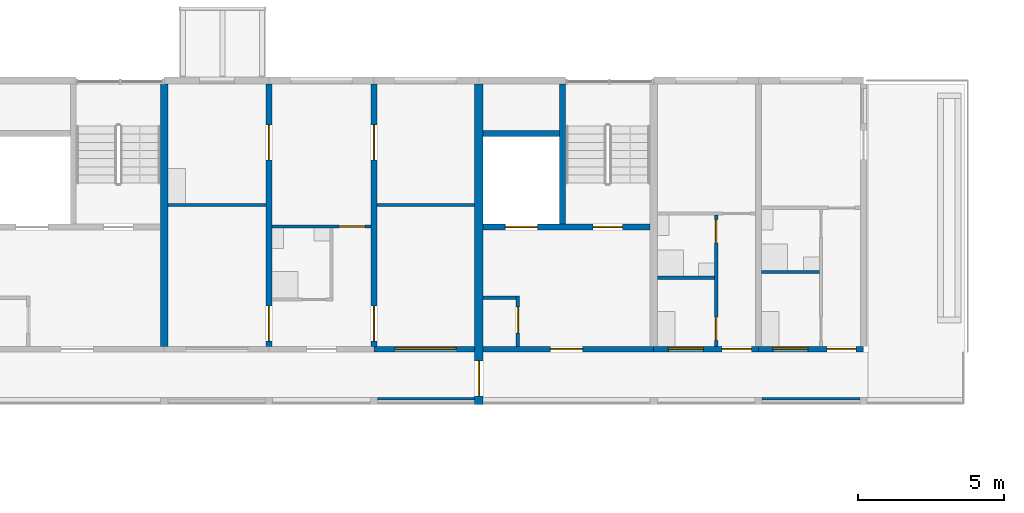
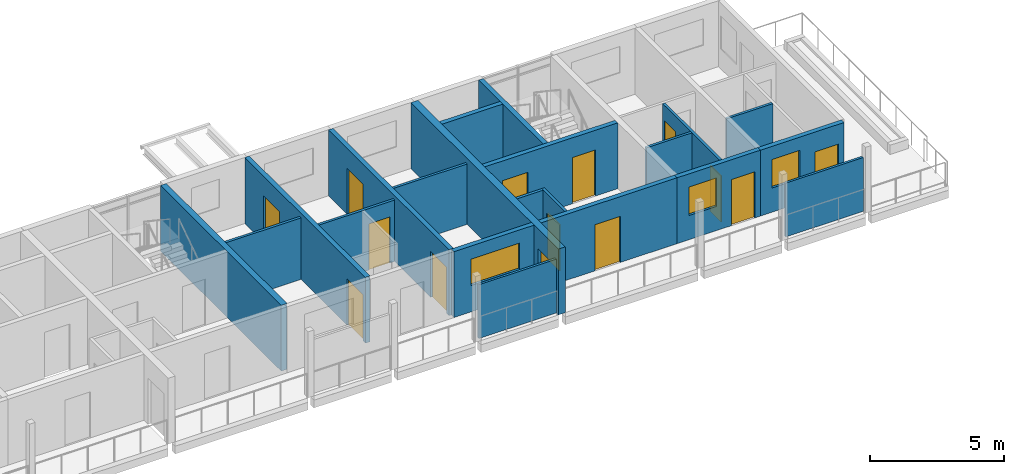
# One storey, part 41 of 93: 21 walls, 14 doors, 3 windows, 17 openings.
"""IFC4 building model written with IfcOpenShell, lengths in metres."""

import ifcopenshell
import ifcopenshell.guid

model = None  # the IFC model being written
_history = None  # IfcOwnerHistory: only IFC2X3 demands one
_inside = {}  # id of a spatial element -> (the spatial element, [elements in it])
_under = {}  # id of a project, library or spatial element -> (it, [spatial elements below it])
_declared = {}  # id of a project -> (the project, [libraries it declares])
_typed = {}  # id of a type object -> (the type object, [elements of that type])
_made_of = {}  # id of a material, layer set ... -> (it, [elements and type objects made of it])


def new_model(schema):
    """Start an empty IFC model of exactly this schema.

    Asked for "IFC4X3", IfcOpenShell would pick the latest addendum, in which some entities
    have other attributes; the version numbers below select the first issue.
    IFC2X3 requires an IfcOwnerHistory on every rooted entity: one is made here for all.
    """
    global model, _history
    if schema == "IFC4X3":
        model = ifcopenshell.file(schema_version=(4, 3, 0, 0))
    else:
        model = ifcopenshell.file(schema=schema)
    _inside.clear()
    _under.clear()
    _declared.clear()
    _typed.clear()
    _made_of.clear()
    _history = None
    if model.schema == "IFC2X3":
        org = make("IfcOrganization", Name="unknown")
        user = make(
            "IfcPersonAndOrganization",
            ThePerson=make("IfcPerson", FamilyName="unknown"),
            TheOrganization=org,
        )
        app = make(
            "IfcApplication",
            ApplicationDeveloper=org,
            Version="unknown",
            ApplicationFullName="unknown",
            ApplicationIdentifier="unknown",
        )
        _history = make(
            "IfcOwnerHistory",
            OwningUser=user,
            OwningApplication=app,
            ChangeAction="ADDED",
            CreationDate=0,
        )
    return model


def make(cls, **values):
    """One entity of the class cls with the attributes given. An attribute that is None is left unset."""
    return model.create_entity(
        cls, **{name: value for name, value in values.items() if value is not None}
    )


def rooted(cls, **values):
    """An entity with a GlobalId (a new one), such as an element, a storey or a relation."""
    return make(cls, GlobalId=ifcopenshell.guid.new(), OwnerHistory=_history, **values)


def si_unit(unit_type, name, prefix=None):
    """IfcSIUnit, for example si_unit("LENGTHUNIT", "METRE", prefix="MILLI")."""
    return make("IfcSIUnit", UnitType=unit_type, Prefix=prefix, Name=name)


def assignment(units):
    """IfcUnitAssignment: the units of a project."""
    return None if units is None else make("IfcUnitAssignment", Units=units)


def point(xyz):
    """IfcCartesianPoint."""
    return None if xyz is None else make("IfcCartesianPoint", Coordinates=xyz)


def direction(xyz):
    """IfcDirection."""
    return None if xyz is None else make("IfcDirection", DirectionRatios=xyz)


def frame(location, z_axis=None, x_axis=None):
    """IfcAxis2Placement3D, a coordinate frame: its origin and axes. An axis left out is left unset."""
    return make(
        "IfcAxis2Placement3D",
        Location=point(location),
        Axis=direction(z_axis),
        RefDirection=direction(x_axis),
    )


def frame_2d(location, x_axis=None):
    """IfcAxis2Placement2D, a coordinate frame in the plane: its origin and x axis."""
    return make(
        "IfcAxis2Placement2D", Location=point(location), RefDirection=direction(x_axis)
    )


def origin():
    """The frame at (0, 0, 0) with its axes left unset."""
    return frame((0.0, 0.0, 0.0))


def place(relative_to, where):
    """IfcLocalPlacement: puts the frame where relative to a parent placement (None: the world)."""
    return make(
        "IfcLocalPlacement", PlacementRelTo=relative_to, RelativePlacement=where
    )


def context(
    kind, dimensions, precision=None, world=None, true_north=None, identifier=None
):
    """IfcGeometricRepresentationContext, for example the 3D "Model" context."""
    return make(
        "IfcGeometricRepresentationContext",
        ContextIdentifier=identifier,
        ContextType=kind,
        CoordinateSpaceDimension=dimensions,
        Precision=precision,
        WorldCoordinateSystem=world,
        TrueNorth=true_north,
    )


def subcontext(parent, identifier, kind, view, scale=None):
    """IfcGeometricRepresentationSubContext, for example "Body" below "Model"."""
    return make(
        "IfcGeometricRepresentationSubContext",
        ContextIdentifier=identifier,
        ContextType=kind,
        ParentContext=parent,
        TargetScale=scale,
        TargetView=view,
    )


def project(units=None, contexts=None):
    """IfcProject with its units and contexts."""
    return rooted(
        "IfcProject",
        Name="project",
        RepresentationContexts=contexts,
        UnitsInContext=assignment(units),
    )


def spatial(cls, under=None, at=None, **own):
    """A site, building, storey or space (cls), placed at a placement, below another one or the project."""
    s = rooted(cls, ObjectPlacement=at, **own)
    if under is not None:
        _under.setdefault(under.id(), (under, []))[1].append(s)
    return s


def profile(cls, at=None, kind="AREA", **sizes):
    """A parametric profile (cls). Its sizes go by their IFC names, for example OverallWidth=200.0."""
    return make(cls, ProfileType=kind, Position=at, **sizes)


def rectangle(**sizes):
    """IfcRectangleProfileDef."""
    return profile("IfcRectangleProfileDef", **sizes)


def extrude(swept, where, along, depth):
    """IfcExtrudedAreaSolid: the profile swept, set in the frame where, extruded along a direction by depth."""
    return make(
        "IfcExtrudedAreaSolid",
        SweptArea=swept,
        Position=where,
        ExtrudedDirection=direction(along),
        Depth=depth,
    )


def shape(context_of_items, identifier, shape_type, items):
    """IfcShapeRepresentation: the items that make up one representation, for example the "Body"."""
    return make(
        "IfcShapeRepresentation",
        ContextOfItems=context_of_items,
        RepresentationIdentifier=identifier,
        RepresentationType=shape_type,
        Items=items,
    )


def material(Name=None, Category=None):
    """IfcMaterial."""
    return make("IfcMaterial", Name=Name, Category=Category)


def layer(
    of_material, thickness, ventilated=None, Name=None, Category=None, Priority=None
):
    """IfcMaterialLayer: one layer of a wall or slab, of a material (None: an air gap)."""
    return make(
        "IfcMaterialLayer",
        Material=of_material,
        LayerThickness=thickness,
        IsVentilated=ventilated,
        Name=Name,
        Category=Category,
        Priority=Priority,
    )


def layer_set(layers, Name=None):
    """IfcMaterialLayerSet."""
    return make("IfcMaterialLayerSet", MaterialLayers=layers, LayerSetName=Name)


def made_of(thing, what):
    """Note that an element or type object is made of a material, layer set ...; save() writes the relation."""
    if what is not None:
        _made_of.setdefault(what.id(), (what, []))[1].append(thing)
    return thing


def type_object(cls, material=None, **own):
    """A type object (cls), such as IfcWallType, which elements share."""
    return made_of(rooted(cls, **own), material)


def element(
    cls,
    number,
    at=None,
    inside=None,
    cuts=None,
    type_object=None,
    material=None,
    context=None,
    identifier="Body",
    shape_type=None,
    held_by="IfcProductDefinitionShape",
    body=None,
    shapes=None,
    **own,
):
    """One element of the class cls, such as IfcWall. Its Tag is "e" and its number.

    at: its placement. inside: the storey or other place that contains it. cuts: it is an
    opening in that element (IfcRelVoidsElement). A single representation is given by context,
    identifier, shape_type and body (its items); several are given by shapes. held_by: the class
    of the entity that holds the representations. save() writes the other relations.
    """
    e = rooted(cls, Tag="e%d" % number, ObjectPlacement=at, **own)
    if body is not None:
        shapes = [shape(context, identifier, shape_type, body)]
    if shapes is not None:
        e.Representation = make(held_by, Representations=shapes)
    if inside is not None:
        _inside.setdefault(inside.id(), (inside, []))[1].append(e)
    if cuts is not None:
        rooted(
            "IfcRelVoidsElement", RelatingBuildingElement=cuts, RelatedOpeningElement=e
        )
    if type_object is not None:
        _typed.setdefault(type_object.id(), (type_object, []))[1].append(e)
    return made_of(e, material)


def fill(opening, filler):
    """IfcRelFillsElement: the door or window that sits in an opening."""
    return rooted(
        "IfcRelFillsElement",
        RelatingOpeningElement=opening,
        RelatedBuildingElement=filler,
    )


def aggregate(whole, parts):
    """IfcRelAggregates: a whole, such as a stair, and the parts it consists of."""
    return rooted("IfcRelAggregates", RelatingObject=whole, RelatedObjects=parts)


def save(model, path):
    """Write the relations noted so far, then the file.

    IfcRelAggregates (storeys below a building ...), IfcRelContainedInSpatialStructure (elements
    in a storey), IfcRelDefinesByType, IfcRelAssociatesMaterial and IfcRelDeclares: one each for
    every whole, place, type object, material and project.
    """
    for whole, parts in _under.values():
        aggregate(whole, parts)
    for where, things in _inside.values():
        rooted(
            "IfcRelContainedInSpatialStructure",
            RelatedElements=things,
            RelatingStructure=where,
        )
    for kind, things in _typed.values():
        rooted("IfcRelDefinesByType", RelatedObjects=things, RelatingType=kind)
    for what, things in _made_of.values():
        rooted("IfcRelAssociatesMaterial", RelatedObjects=things, RelatingMaterial=what)
    for by, libraries in _declared.values():
        rooted("IfcRelDeclares", RelatingContext=by, RelatedDefinitions=libraries)
    model.write(path)


model = new_model("IFC4")

# Units and contexts
model_context = context("Model", 3, precision=1e-05, world=origin(), true_north=direction((0.0, 1.0)))
body_context = subcontext(model_context, "Body", "Model", "MODEL_VIEW")
ifc_project = project(units=[si_unit("LENGTHUNIT", "METRE"), si_unit("AREAUNIT", "SQUARE_METRE"), si_unit("VOLUMEUNIT", "CUBIC_METRE"), si_unit("PLANEANGLEUNIT", "RADIAN"), si_unit("MASSUNIT", "GRAM", prefix="KILO")], contexts=[model_context])

# Site, building, storey
site_placement = place(None, origin())
site = spatial("IfcSite", under=ifc_project, at=site_placement, CompositionType="ELEMENT")
building_placement = place(site_placement, origin())
building = spatial("IfcBuilding", under=site, at=building_placement, Name="Ridgestep Commons", CompositionType="ELEMENT")
storey_placement = place(building_placement, frame((0.0, 0.0, 18.0)))
storey = spatial("IfcBuildingStorey", under=building, at=storey_placement, Name="L06", CompositionType="ELEMENT", Elevation=18.0)

# Wall
ifc_material_1 = material(Name="Concrete C30/37", Category="concrete")
ifc_layer_1 = layer(ifc_material_1, 0.25)
ifc_layer_set_1 = layer_set([ifc_layer_1], Name="Core cross wall 250")
wall_type_1 = type_object("IfcWallType", Name="Core cross wall 250", PredefinedType="SHEAR", material=ifc_layer_set_1)
wall_1_placement = place(storey_placement, frame((85.199951171875, 68.0, 0.0), z_axis=(0.0, 0.0, 1.0), x_axis=(0.0, 1.0, 0.0)))
element("IfcWall", 1, at=wall_1_placement, inside=storey, type_object=wall_type_1, Name="Cross wall B-06-0852", PredefinedType="SHEAR", context=body_context, shape_type="SweptSolid", body=[
    extrude(rectangle(XDim=9.0, YDim=0.25, at=frame_2d((4.5, 0.0))), origin(), (0.0, 0.0, 1.0), 3.0),
])

# Wall, opening, door
ifc_material_2 = material(Name="Concrete C30/37", Category="concrete")
ifc_layer_2 = layer(ifc_material_2, 0.199951171875)
ifc_layer_set_2 = layer_set([ifc_layer_2], Name="Core south wall 200")
wall_type_2 = type_object("IfcWallType", Name="Core south wall 200", PredefinedType="SHEAR", material=ifc_layer_set_2)
wall_2_placement = place(storey_placement, frame((96.14990234375, 67.89990234375, 0.0), z_axis=(0.0, 0.0, 1.0), x_axis=(1.0, 0.0, 0.0)))
wall_2 = element("IfcWall", 2, at=wall_2_placement, inside=storey, type_object=wall_type_2, Name="Core south wall B6C L06", PredefinedType="SHEAR", context=body_context, shape_type="SweptSolid", body=[
    extrude(rectangle(XDim=5.85009765625, YDim=0.199951171875, at=frame_2d((2.925048828125, 0.0))), origin(), (0.0, 0.0, 1.0), 3.0),
])
opening_1_placement = place(wall_2_placement, frame((2.3125, 0.0, 0.0)))
opening_1 = element("IfcOpeningElement", 3, at=opening_1_placement, cuts=wall_2, Name="Opening B6C/06/1", PredefinedType="OPENING", context=body_context, shape_type="SweptSolid", body=[
    extrude(rectangle(XDim=1.10009765625, YDim=2.10009765625, at=frame_2d((0.550048828125, 1.050048828125))), frame((0.0, 0.10986328125, 0.0), z_axis=(0.0, -1.0, 0.0), x_axis=(1.0, 0.0, 0.0)), (0.0, 0.0, 1.0), 0.219970703125),
])
ifc_material_3 = material(Name="Steel fire door", Category="steel")
door_type_1 = type_object("IfcDoorType", Name="Lobby door 1100 x 2100 FD60", OperationType="NOTDEFINED", PredefinedType="DOOR", material=ifc_material_3)
door_1_placement = place(opening_1_placement, origin())
door_1 = element("IfcDoor", 4, at=door_1_placement, inside=storey, type_object=door_type_1, Name="Lobby door B6C/06/1", OperationType="SINGLE_SWING_LEFT", OverallHeight=2.10009765625, OverallWidth=1.10009765625, PredefinedType="DOOR", context=body_context, shape_type="SweptSolid", body=[
    extrude(rectangle(XDim=1.10009765625, YDim=2.10009765625, at=frame_2d((0.550048828125, 1.050048828125))), frame((0.0, 0.02490234375, 0.0), z_axis=(0.0, -1.0, 0.0), x_axis=(1.0, 0.0, 0.0)), (0.0, 0.0, 1.0), 0.050048828125),
])
fill(opening_1, door_1)

ifc_material_4 = material(Name="Concrete C30/37", Category="concrete")
ifc_layer_3 = layer(ifc_material_4, 0.1201171875)
ifc_layer_set_3 = layer_set([ifc_layer_3], Name="Core wall 120")
wall_type_3 = type_object("IfcWallType", Name="Core wall 120", PredefinedType="SHEAR", material=ifc_layer_set_3)
wall_3_placement = place(storey_placement, frame((97.340087890625, 68.0, 0.0), z_axis=(0.0, 0.0, 1.0), x_axis=(0.0, 1.0, 0.0)))
wall_3 = element("IfcWall", 5, at=wall_3_placement, inside=storey, type_object=wall_type_3, Name="Core riser w wall B6C L06", PredefinedType="SHEAR", context=body_context, shape_type="SweptSolid", body=[
    extrude(rectangle(XDim=1.719970703125, YDim=0.1201171875, at=frame_2d((0.85986328125, 0.0))), origin(), (0.0, 0.0, 1.0), 3.0),
])
opening_2_placement = place(wall_3_placement, frame((0.449951171875, 0.0, 0.0)))
opening_2 = element("IfcOpeningElement", 6, at=opening_2_placement, cuts=wall_3, Name="Opening B6C/06/4", PredefinedType="OPENING", context=body_context, shape_type="SweptSolid", body=[
    extrude(rectangle(XDim=0.89990234375, YDim=2.10009765625, at=frame_2d((0.449951171875, 1.050048828125))), frame((0.0, 0.070068359375, 0.0), z_axis=(0.0, -1.0, 0.0), x_axis=(1.0, 0.0, 0.0)), (0.0, 0.0, 1.0), 0.14013671875),
])
ifc_material_5 = material(Name="Steel fire door", Category="steel")
door_type_2 = type_object("IfcDoorType", Name="Riser door 900 x 2100 FD60", OperationType="NOTDEFINED", PredefinedType="DOOR", material=ifc_material_5)
door_2_placement = place(opening_2_placement, origin())
door_2 = element("IfcDoor", 7, at=door_2_placement, inside=storey, type_object=door_type_2, Name="Riser door B6C/06/4", OperationType="SINGLE_SWING_RIGHT", OverallHeight=2.10009765625, OverallWidth=0.89990234375, PredefinedType="DOOR", context=body_context, shape_type="SweptSolid", body=[
    extrude(rectangle(XDim=0.89990234375, YDim=2.10009765625, at=frame_2d((0.449951171875, 1.050048828125))), frame((0.0, 0.02490234375, 0.0), z_axis=(0.0, -1.0, 0.0), x_axis=(1.0, 0.0, 0.0)), (0.0, 0.0, 1.0), 0.050048828125),
])
fill(opening_2, door_2)

# Wall
wall_4_placement = place(storey_placement, frame((96.14990234375, 69.659912109375, 0.0), z_axis=(0.0, 0.0, 1.0), x_axis=(1.0, 0.0, 0.0)))
element("IfcWall", 8, at=wall_4_placement, inside=storey, type_object=wall_type_3, Name="Core riser n wall B6C L06", PredefinedType="SHEAR", context=body_context, shape_type="SweptSolid", body=[
    extrude(rectangle(XDim=1.130126953125, YDim=0.1201171875, at=frame_2d((0.56494140625, 0.0))), origin(), (0.0, 0.0, 1.0), 3.0),
])

# Wall, openings, doors
ifc_material_6 = material(Name="Concrete C30/37", Category="concrete")
ifc_layer_4 = layer(ifc_material_6, 0.199951171875)
ifc_layer_set_4 = layer_set([ifc_layer_4], Name="Core wall 200")
wall_type_4 = type_object("IfcWallType", Name="Core wall 200", PredefinedType="SHEAR", material=ifc_layer_set_4)
wall_5_placement = place(storey_placement, frame((96.14990234375, 72.10009765625, 0.0), z_axis=(0.0, 0.0, 1.0), x_axis=(1.0, 0.0, 0.0)))
wall_5 = element("IfcWall", 9, at=wall_5_placement, inside=storey, type_object=wall_type_4, Name="Core lobby wall B6C L06", PredefinedType="SHEAR", context=body_context, shape_type="SweptSolid", body=[
    extrude(rectangle(XDim=5.72509765625, YDim=0.199951171875, at=frame_2d((2.862548828125, 0.0))), origin(), (0.0, 0.0, 1.0), 3.0),
])
opening_3_placement = place(wall_5_placement, frame((3.77490234375, 0.0, 0.0)))
opening_3 = element("IfcOpeningElement", 10, at=opening_3_placement, cuts=wall_5, Name="Opening B6C/06/2", PredefinedType="OPENING", context=body_context, shape_type="SweptSolid", body=[
    extrude(rectangle(XDim=1.0, YDim=2.10009765625, at=frame_2d((0.5, 1.050048828125))), frame((0.0, 0.10986328125, 0.0), z_axis=(0.0, -1.0, 0.0), x_axis=(1.0, 0.0, 0.0)), (0.0, 0.0, 1.0), 0.219970703125),
])
opening_4_placement = place(wall_5_placement, frame((0.762451171875, 0.0, 0.0)))
opening_4 = element("IfcOpeningElement", 11, at=opening_4_placement, cuts=wall_5, Name="Opening B6C/06/3", PredefinedType="OPENING", context=body_context, shape_type="SweptSolid", body=[
    extrude(rectangle(XDim=1.10009765625, YDim=2.10009765625, at=frame_2d((0.550048828125, 1.050048828125))), frame((0.0, 0.10986328125, 0.0), z_axis=(0.0, -1.0, 0.0), x_axis=(1.0, 0.0, 0.0)), (0.0, 0.0, 1.0), 0.219970703125),
])
ifc_material_7 = material(Name="Stainless steel", Category="steel")
door_type_3 = type_object("IfcDoorType", Name="Lift landing door 1100 x 2100 FD60", OperationType="DOUBLE_DOOR_SLIDING", PredefinedType="DOOR", material=ifc_material_7)
door_3_placement = place(opening_4_placement, origin())
door_3 = element("IfcDoor", 12, at=door_3_placement, inside=storey, type_object=door_type_3, Name="Landing door LD B6C L06", OperationType="DOUBLE_DOOR_SLIDING", OverallHeight=2.10009765625, OverallWidth=1.10009765625, PredefinedType="DOOR", context=body_context, shape_type="SweptSolid", body=[
    extrude(rectangle(XDim=1.10009765625, YDim=2.10009765625, at=frame_2d((0.550048828125, 1.050048828125))), frame((0.0, 0.02490234375, 0.0), z_axis=(0.0, -1.0, 0.0), x_axis=(1.0, 0.0, 0.0)), (0.0, 0.0, 1.0), 0.050048828125),
])
fill(opening_4, door_3)
ifc_material_8 = material(Name="Steel fire door", Category="steel")
door_type_4 = type_object("IfcDoorType", Name="Stair door 1000 x 2100 FD60", OperationType="NOTDEFINED", PredefinedType="DOOR", material=ifc_material_8)
door_4_placement = place(opening_3_placement, origin())
door_4 = element("IfcDoor", 13, at=door_4_placement, inside=storey, type_object=door_type_4, Name="Stair door B6C/06/2", OperationType="SINGLE_SWING_RIGHT", OverallHeight=2.10009765625, OverallWidth=1.0, PredefinedType="DOOR", context=body_context, shape_type="SweptSolid", body=[
    extrude(rectangle(XDim=1.0, YDim=2.10009765625, at=frame_2d((0.5, 1.050048828125))), frame((0.0, 0.02490234375, 0.0), z_axis=(0.0, -1.0, 0.0), x_axis=(1.0, 0.0, 0.0)), (0.0, 0.0, 1.0), 0.050048828125),
])
fill(opening_3, door_4)

# Walls
wall_6_placement = place(storey_placement, frame((98.875, 72.199951171875, 0.0), z_axis=(0.0, 0.0, 1.0), x_axis=(0.0, 1.0, 0.0)))
element("IfcWall", 14, at=wall_6_placement, inside=storey, type_object=wall_type_4, Name="Core stair wall B6C L06", PredefinedType="SHEAR", context=body_context, shape_type="SweptSolid", body=[
    extrude(rectangle(XDim=4.800048828125, YDim=0.199951171875, at=frame_2d((2.39990234375, 0.0))), origin(), (0.0, 0.0, 1.0), 3.0),
])
wall_7_placement = place(storey_placement, frame((96.14990234375, 75.300048828125, 0.0), z_axis=(0.0, 0.0, 1.0), x_axis=(1.0, 0.0, 0.0)))
element("IfcWall", 15, at=wall_7_placement, inside=storey, type_object=wall_type_4, Name="Core duct wall B6C L06", PredefinedType="SHEAR", context=body_context, shape_type="SweptSolid", body=[
    extrude(rectangle(XDim=2.625, YDim=0.199951171875, at=frame_2d((1.3125, 0.0))), origin(), (0.0, 0.0, 1.0), 3.0),
])

# Wall, openings, doors
ifc_material_9 = material(Name="Precast concrete C40/50", Category="concrete")
ifc_layer_5 = layer(ifc_material_9, 0.199951171875)
ifc_layer_set_5 = layer_set([ifc_layer_5], Name="Cross wall 200")
wall_type_5 = type_object("IfcWallType", Name="Cross wall 200", PredefinedType="SHEAR", material=ifc_layer_set_5)
wall_8_placement = place(storey_placement, frame((88.800048828125, 68.0, 0.0), z_axis=(0.0, 0.0, 1.0), x_axis=(0.0, 1.0, 0.0)))
wall_8 = element("IfcWall", 16, at=wall_8_placement, inside=storey, type_object=wall_type_5, Name="Cross wall B-06-0888", PredefinedType="SHEAR", context=body_context, shape_type="SweptSolid", body=[
    extrude(rectangle(XDim=9.0, YDim=0.199951171875, at=frame_2d((4.5, 0.0))), origin(), (0.0, 0.0, 1.0), 3.0),
])
opening_5_placement = place(wall_8_placement, frame((0.175048828125, 0.0, 0.0)))
opening_5 = element("IfcOpeningElement", 17, at=opening_5_placement, cuts=wall_8, Name="Opening B5-06a/4", PredefinedType="OPENING", context=body_context, shape_type="SweptSolid", body=[
    extrude(rectangle(XDim=1.199951171875, YDim=2.10009765625, at=frame_2d((0.60009765625, 1.050048828125))), frame((0.0, 0.10986328125, 0.0), z_axis=(0.0, -1.0, 0.0), x_axis=(1.0, 0.0, 0.0)), (0.0, 0.0, 1.0), 0.219970703125),
])
opening_6_placement = place(wall_8_placement, frame((6.39990234375, 0.0, 0.0)))
opening_6 = element("IfcOpeningElement", 18, at=opening_6_placement, cuts=wall_8, Name="Opening B5-06a/5", PredefinedType="OPENING", context=body_context, shape_type="SweptSolid", body=[
    extrude(rectangle(XDim=1.199951171875, YDim=2.10009765625, at=frame_2d((0.60009765625, 1.050048828125))), frame((0.0, 0.10986328125, 0.0), z_axis=(0.0, -1.0, 0.0), x_axis=(1.0, 0.0, 0.0)), (0.0, 0.0, 1.0), 0.219970703125),
])
ifc_material_10 = material(Name="Timber door leaf", Category="wood")
door_type_5 = type_object("IfcDoorType", Name="Double door 1200 x 2100", OperationType="DOUBLE_DOOR_SINGLE_SWING", PredefinedType="DOOR", material=ifc_material_10)
door_5_placement = place(opening_5_placement, origin())
door_5 = element("IfcDoor", 19, at=door_5_placement, inside=storey, type_object=door_type_5, Name="Double door B5-06a/4", OperationType="DOUBLE_DOOR_SINGLE_SWING", OverallHeight=2.10009765625, OverallWidth=1.199951171875, PredefinedType="DOOR", context=body_context, shape_type="SweptSolid", body=[
    extrude(rectangle(XDim=1.199951171875, YDim=2.10009765625, at=frame_2d((0.60009765625, 1.050048828125))), frame((0.0, 0.02490234375, 0.0), z_axis=(0.0, -1.0, 0.0), x_axis=(1.0, 0.0, 0.0)), (0.0, 0.0, 1.0), 0.050048828125),
])
fill(opening_5, door_5)
door_6_placement = place(opening_6_placement, origin())
door_6 = element("IfcDoor", 20, at=door_6_placement, inside=storey, type_object=door_type_5, Name="Double door B5-06a/5", OperationType="DOUBLE_DOOR_SINGLE_SWING", OverallHeight=2.10009765625, OverallWidth=1.199951171875, PredefinedType="DOOR", context=body_context, shape_type="SweptSolid", body=[
    extrude(rectangle(XDim=1.199951171875, YDim=2.10009765625, at=frame_2d((0.60009765625, 1.050048828125))), frame((0.0, 0.02490234375, 0.0), z_axis=(0.0, -1.0, 0.0), x_axis=(1.0, 0.0, 0.0)), (0.0, 0.0, 1.0), 0.050048828125),
])
fill(opening_6, door_6)

wall_9_placement = place(storey_placement, frame((92.39990234375, 68.0, 0.0), z_axis=(0.0, 0.0, 1.0), x_axis=(0.0, 1.0, 0.0)))
wall_9 = element("IfcWall", 21, at=wall_9_placement, inside=storey, type_object=wall_type_5, Name="Cross wall B-06-0924", PredefinedType="SHEAR", context=body_context, shape_type="SweptSolid", body=[
    extrude(rectangle(XDim=9.0, YDim=0.199951171875, at=frame_2d((4.5, 0.0))), origin(), (0.0, 0.0, 1.0), 3.0),
])
opening_7_placement = place(wall_9_placement, frame((0.175048828125, 0.0, 0.0)))
opening_7 = element("IfcOpeningElement", 22, at=opening_7_placement, cuts=wall_9, Name="Opening B5-06a/6", PredefinedType="OPENING", context=body_context, shape_type="SweptSolid", body=[
    extrude(rectangle(XDim=1.199951171875, YDim=2.10009765625, at=frame_2d((0.60009765625, 1.050048828125))), frame((0.0, 0.10986328125, 0.0), z_axis=(0.0, -1.0, 0.0), x_axis=(1.0, 0.0, 0.0)), (0.0, 0.0, 1.0), 0.219970703125),
])
opening_8_placement = place(wall_9_placement, frame((6.39990234375, 0.0, 0.0)))
opening_8 = element("IfcOpeningElement", 23, at=opening_8_placement, cuts=wall_9, Name="Opening B5-06a/7", PredefinedType="OPENING", context=body_context, shape_type="SweptSolid", body=[
    extrude(rectangle(XDim=1.199951171875, YDim=2.10009765625, at=frame_2d((0.60009765625, 1.050048828125))), frame((0.0, 0.10986328125, 0.0), z_axis=(0.0, -1.0, 0.0), x_axis=(1.0, 0.0, 0.0)), (0.0, 0.0, 1.0), 0.219970703125),
])
door_7_placement = place(opening_7_placement, origin())
door_7 = element("IfcDoor", 24, at=door_7_placement, inside=storey, type_object=door_type_5, Name="Double door B5-06a/6", OperationType="DOUBLE_DOOR_SINGLE_SWING", OverallHeight=2.10009765625, OverallWidth=1.199951171875, PredefinedType="DOOR", context=body_context, shape_type="SweptSolid", body=[
    extrude(rectangle(XDim=1.199951171875, YDim=2.10009765625, at=frame_2d((0.60009765625, 1.050048828125))), frame((0.0, 0.02490234375, 0.0), z_axis=(0.0, -1.0, 0.0), x_axis=(1.0, 0.0, 0.0)), (0.0, 0.0, 1.0), 0.050048828125),
])
fill(opening_7, door_7)
door_8_placement = place(opening_8_placement, origin())
door_8 = element("IfcDoor", 25, at=door_8_placement, inside=storey, type_object=door_type_5, Name="Double door B5-06a/7", OperationType="DOUBLE_DOOR_SINGLE_SWING", OverallHeight=2.10009765625, OverallWidth=1.199951171875, PredefinedType="DOOR", context=body_context, shape_type="SweptSolid", body=[
    extrude(rectangle(XDim=1.199951171875, YDim=2.10009765625, at=frame_2d((0.60009765625, 1.050048828125))), frame((0.0, 0.02490234375, 0.0), z_axis=(0.0, -1.0, 0.0), x_axis=(1.0, 0.0, 0.0)), (0.0, 0.0, 1.0), 0.050048828125),
])
fill(opening_8, door_8)

# Wall, opening, door
ifc_material_11 = material(Name="Precast concrete C40/50", Category="concrete")
ifc_layer_6 = layer(ifc_material_11, 0.300048828125)
ifc_layer_set_6 = layer_set([ifc_layer_6], Name="Division wall 300")
wall_type_6 = type_object("IfcWallType", Name="Division wall 300", PredefinedType="SHEAR", material=ifc_layer_set_6)
wall_10_placement = place(storey_placement, frame((96.0, 66.0, 0.0), z_axis=(0.0, 0.0, 1.0), x_axis=(0.0, 1.0, 0.0)))
wall_10 = element("IfcWall", 26, at=wall_10_placement, inside=storey, type_object=wall_type_6, Name="Cross wall B-06-0960", PredefinedType="SHEAR", context=body_context, shape_type="SweptSolid", body=[
    extrude(rectangle(XDim=11.0, YDim=0.300048828125, at=frame_2d((5.5, 0.0))), origin(), (0.0, 0.0, 1.0), 3.0),
])
opening_9_placement = place(wall_10_placement, frame((0.300048828125, 0.0, 0.0)))
opening_9 = element("IfcOpeningElement", 27, at=opening_9_placement, cuts=wall_10, Name="Opening B/06/G0960", PredefinedType="OPENING", context=body_context, shape_type="SweptSolid", body=[
    extrude(rectangle(XDim=1.199951171875, YDim=2.10009765625, at=frame_2d((0.60009765625, 1.050048828125))), frame((0.0, 0.159912109375, 0.0), z_axis=(0.0, -1.0, 0.0), x_axis=(1.0, 0.0, 0.0)), (0.0, 0.0, 1.0), 0.320068359375),
])
ifc_material_12 = material(Name="Steel fire door", Category="steel")
door_type_6 = type_object("IfcDoorType", Name="Division fire door 1200 x 2100 EI 240", OperationType="DOUBLE_DOOR_SINGLE_SWING", PredefinedType="DOOR", material=ifc_material_12)
door_9_placement = place(opening_9_placement, origin())
door_9 = element("IfcDoor", 28, at=door_9_placement, inside=storey, type_object=door_type_6, Name="Division fire door B/06/G0960", OperationType="DOUBLE_DOOR_SINGLE_SWING", OverallHeight=2.10009765625, OverallWidth=1.199951171875, PredefinedType="DOOR", context=body_context, shape_type="SweptSolid", body=[
    extrude(rectangle(XDim=1.199951171875, YDim=2.10009765625, at=frame_2d((0.60009765625, 1.050048828125))), frame((0.0, 0.02490234375, 0.0), z_axis=(0.0, -1.0, 0.0), x_axis=(1.0, 0.0, 0.0)), (0.0, 0.0, 1.0), 0.050048828125),
])
fill(opening_9, door_9)

ifc_material_13 = material(Name="Common brick 110 mm", Category="masonry")
ifc_layer_7 = layer(ifc_material_13, 0.110107421875)
ifc_layer_set_7 = layer_set([ifc_layer_7], Name="Partition 110")
wall_type_7 = type_object("IfcWallType", Name="Partition 110", PredefinedType="PARTITIONING", material=ifc_layer_set_7)
wall_11_placement = place(storey_placement, frame((88.89990234375, 72.114990234375, 0.0), z_axis=(0.0, 0.0, 1.0), x_axis=(1.0, 0.0, 0.0)))
wall_11 = element("IfcWall", 29, at=wall_11_placement, inside=storey, type_object=wall_type_7, Name="Partition B5-06a", PredefinedType="PARTITIONING", context=body_context, shape_type="SweptSolid", body=[
    extrude(rectangle(XDim=3.400146484375, YDim=0.110107421875, at=frame_2d((1.7001953125, 0.0))), origin(), (0.0, 0.0, 1.0), 2.800048828125),
])
opening_10_placement = place(wall_11_placement, frame((2.300048828125, 0.0, 0.0)))
opening_10 = element("IfcOpeningElement", 30, at=opening_10_placement, cuts=wall_11, Name="Opening B5-06a/3", PredefinedType="OPENING", context=body_context, shape_type="SweptSolid", body=[
    extrude(rectangle(XDim=0.89990234375, YDim=2.10009765625, at=frame_2d((0.449951171875, 1.050048828125))), frame((0.0, 0.06494140625, 0.0), z_axis=(0.0, -1.0, 0.0), x_axis=(1.0, 0.0, 0.0)), (0.0, 0.0, 1.0), 0.130126953125),
])
ifc_material_14 = material(Name="Timber door leaf", Category="wood")
door_type_7 = type_object("IfcDoorType", Name="Internal door 900 x 2100", OperationType="NOTDEFINED", PredefinedType="DOOR", material=ifc_material_14)
door_10_placement = place(opening_10_placement, origin())
door_10 = element("IfcDoor", 31, at=door_10_placement, inside=storey, type_object=door_type_7, Name="Internal door B5-06a/3", OperationType="SINGLE_SWING_LEFT", OverallHeight=2.10009765625, OverallWidth=0.89990234375, PredefinedType="DOOR", context=body_context, shape_type="SweptSolid", body=[
    extrude(rectangle(XDim=0.89990234375, YDim=2.10009765625, at=frame_2d((0.449951171875, 1.050048828125))), frame((0.0, 0.02490234375, 0.0), z_axis=(0.0, -1.0, 0.0), x_axis=(1.0, 0.0, 0.0)), (0.0, 0.0, 1.0), 0.050048828125),
])
fill(opening_10, door_10)

# Walls
wall_12_placement = place(storey_placement, frame((85.324951171875, 72.85498046875, 0.0), z_axis=(0.0, 0.0, 1.0), x_axis=(1.0, 0.0, 0.0)))
element("IfcWall", 32, at=wall_12_placement, inside=storey, type_object=wall_type_7, Name="Partition B5-06a", PredefinedType="PARTITIONING", context=body_context, shape_type="SweptSolid", body=[
    extrude(rectangle(XDim=3.375, YDim=0.110107421875, at=frame_2d((1.6875, 0.0))), origin(), (0.0, 0.0, 1.0), 2.800048828125),
])
wall_13_placement = place(storey_placement, frame((92.5, 72.85498046875, 0.0), z_axis=(0.0, 0.0, 1.0), x_axis=(1.0, 0.0, 0.0)))
element("IfcWall", 33, at=wall_13_placement, inside=storey, type_object=wall_type_7, Name="Partition B5-06a", PredefinedType="PARTITIONING", context=body_context, shape_type="SweptSolid", body=[
    extrude(rectangle(XDim=3.35009765625, YDim=0.110107421875, at=frame_2d((1.675048828125, 0.0))), origin(), (0.0, 0.0, 1.0), 2.75),
])
wall_14_placement = place(storey_placement, frame((105.699951171875, 70.554931640625, 0.0), z_axis=(0.0, 0.0, 1.0), x_axis=(1.0, 0.0, 0.0)))
element("IfcWall", 34, at=wall_14_placement, inside=storey, type_object=wall_type_7, Name="Partition B6-06a", PredefinedType="PARTITIONING", context=body_context, shape_type="SweptSolid", body=[
    extrude(rectangle(XDim=1.989990234375, YDim=0.110107421875, at=frame_2d((0.9951171875, 0.0))), origin(), (0.0, 0.0, 1.0), 2.75),
])
wall_15_placement = place(storey_placement, frame((102.125, 70.35498046875, 0.0), z_axis=(0.0, 0.0, 1.0), x_axis=(1.0, 0.0, 0.0)))
element("IfcWall", 35, at=wall_15_placement, inside=storey, type_object=wall_type_7, Name="Partition B6-06b", PredefinedType="PARTITIONING", context=body_context, shape_type="SweptSolid", body=[
    extrude(rectangle(XDim=1.965087890625, YDim=0.110107421875, at=frame_2d((0.982421875, 0.0))), origin(), (0.0, 0.0, 1.0), 2.800048828125),
])

# Wall, openings, doors
wall_16_placement = place(storey_placement, frame((104.14501953125, 68.0, 0.0), z_axis=(0.0, 0.0, 1.0), x_axis=(0.0, 1.0, 0.0)))
wall_16 = element("IfcWall", 36, at=wall_16_placement, inside=storey, type_object=wall_type_7, Name="Partition B6-06b", PredefinedType="PARTITIONING", context=body_context, shape_type="SweptSolid", body=[
    extrude(rectangle(XDim=4.5, YDim=0.110107421875, at=frame_2d((2.25, 0.0))), origin(), (0.0, 0.0, 1.0), 2.800048828125),
])
opening_11_placement = place(wall_16_placement, frame((0.199951171875, 0.0, 0.0)))
opening_11 = element("IfcOpeningElement", 37, at=opening_11_placement, cuts=wall_16, Name="Opening B6-06b/2", PredefinedType="OPENING", context=body_context, shape_type="SweptSolid", body=[
    extrude(rectangle(XDim=0.800048828125, YDim=2.10009765625, at=frame_2d((0.39990234375, 1.050048828125))), frame((0.0, 0.06494140625, 0.0), z_axis=(0.0, -1.0, 0.0), x_axis=(1.0, 0.0, 0.0)), (0.0, 0.0, 1.0), 0.130126953125),
])
opening_12_placement = place(wall_16_placement, frame((3.550048828125, 0.0, 0.0)))
opening_12 = element("IfcOpeningElement", 38, at=opening_12_placement, cuts=wall_16, Name="Opening B6-06b/3", PredefinedType="OPENING", context=body_context, shape_type="SweptSolid", body=[
    extrude(rectangle(XDim=0.800048828125, YDim=2.10009765625, at=frame_2d((0.39990234375, 1.050048828125))), frame((0.0, 0.06494140625, 0.0), z_axis=(0.0, -1.0, 0.0), x_axis=(1.0, 0.0, 0.0)), (0.0, 0.0, 1.0), 0.130126953125),
])
ifc_material_15 = material(Name="Timber door leaf", Category="wood")
door_type_8 = type_object("IfcDoorType", Name="Internal door 800 x 2100", OperationType="NOTDEFINED", PredefinedType="DOOR", material=ifc_material_15)
door_11_placement = place(opening_11_placement, origin())
door_11 = element("IfcDoor", 39, at=door_11_placement, inside=storey, type_object=door_type_8, Name="Internal door B6-06b/2", OperationType="SINGLE_SWING_LEFT", OverallHeight=2.10009765625, OverallWidth=0.800048828125, PredefinedType="DOOR", context=body_context, shape_type="SweptSolid", body=[
    extrude(rectangle(XDim=0.800048828125, YDim=2.10009765625, at=frame_2d((0.39990234375, 1.050048828125))), frame((0.0, 0.02490234375, 0.0), z_axis=(0.0, -1.0, 0.0), x_axis=(1.0, 0.0, 0.0)), (0.0, 0.0, 1.0), 0.050048828125),
])
fill(opening_11, door_11)
door_12_placement = place(opening_12_placement, origin())
door_12 = element("IfcDoor", 40, at=door_12_placement, inside=storey, type_object=door_type_8, Name="Internal door B6-06b/3", OperationType="SINGLE_SWING_RIGHT", OverallHeight=2.10009765625, OverallWidth=0.800048828125, PredefinedType="DOOR", context=body_context, shape_type="SweptSolid", body=[
    extrude(rectangle(XDim=0.800048828125, YDim=2.10009765625, at=frame_2d((0.39990234375, 1.050048828125))), frame((0.0, 0.02490234375, 0.0), z_axis=(0.0, -1.0, 0.0), x_axis=(1.0, 0.0, 0.0)), (0.0, 0.0, 1.0), 0.050048828125),
])
fill(opening_12, door_12)

# Walls
ifc_material_16 = material(Name="Precast concrete C30/37", Category="concrete")
ifc_layer_8 = layer(ifc_material_16, 0.10009765625)
ifc_layer_set_8 = layer_set([ifc_layer_8], Name="Perforated gallery screen 3325 x 2450 x 100")
wall_type_8 = type_object("IfcWallType", Name="Perforated gallery screen 3325 x 2450 x 100", PredefinedType="SOLIDWALL", material=ifc_layer_set_8)
wall_17_placement = place(storey_placement, frame((92.52490234375, 66.199951171875, 0.0), z_axis=(0.0, 0.0, 1.0), x_axis=(1.0, 0.0, 0.0)))
element("IfcWall", 41, at=wall_17_placement, inside=storey, type_object=wall_type_8, Name="Gallery screen B5T1 06", PredefinedType="SOLIDWALL", context=body_context, shape_type="SweptSolid", body=[
    extrude(rectangle(XDim=3.3251953125, YDim=0.10009765625, at=frame_2d((1.66259765625, 0.0))), origin(), (0.0, 0.0, 1.0), 2.449951171875),
])
ifc_material_17 = material(Name="Precast concrete C30/37", Category="concrete")
ifc_layer_9 = layer(ifc_material_17, 0.10009765625)
ifc_layer_set_9 = layer_set([ifc_layer_9], Name="Perforated gallery screen 3350 x 2450 x 100")
wall_type_9 = type_object("IfcWallType", Name="Perforated gallery screen 3350 x 2450 x 100", PredefinedType="SOLIDWALL", material=ifc_layer_set_9)
wall_18_placement = place(storey_placement, frame((105.72509765625, 66.199951171875, 0.0), z_axis=(0.0, 0.0, 1.0), x_axis=(1.0, 0.0, 0.0)))
element("IfcWall", 42, at=wall_18_placement, inside=storey, type_object=wall_type_9, Name="Gallery screen B6T2 06", PredefinedType="SOLIDWALL", context=body_context, shape_type="SweptSolid", body=[
    extrude(rectangle(XDim=3.349853515625, YDim=0.10009765625, at=frame_2d((1.6748046875, 0.0))), origin(), (0.0, 0.0, 1.0), 2.449951171875),
])

# Wall, opening, window
ifc_material_18 = material(Name="Precast concrete C40/50", Category="concrete")
ifc_layer_10 = layer(ifc_material_18, 0.199951171875)
ifc_layer_set_10 = layer_set([ifc_layer_10], Name="South facade panel 200")
wall_type_10 = type_object("IfcWallType", Name="South facade panel 200", PredefinedType="SOLIDWALL", material=ifc_layer_set_10)
wall_19_placement = place(storey_placement, frame((92.39990234375, 67.89990234375, 0.0), z_axis=(0.0, 0.0, 1.0), x_axis=(1.0, 0.0, 0.0)))
wall_19 = element("IfcWall", 43, at=wall_19_placement, inside=storey, type_object=wall_type_10, Name="South panel B5T1 L06", PredefinedType="SOLIDWALL", context=body_context, shape_type="SweptSolid", body=[
    extrude(rectangle(XDim=3.4501953125, YDim=0.199951171875, at=frame_2d((1.72509765625, 0.0))), origin(), (0.0, 0.0, 1.0), 3.0),
])
opening_13_placement = place(wall_19_placement, frame((0.72509765625, 0.0, 1.199951171875)))
opening_13 = element("IfcOpeningElement", 44, at=opening_13_placement, cuts=wall_19, Name="Opening W22", PredefinedType="OPENING", context=body_context, shape_type="SweptSolid", body=[
    extrude(rectangle(XDim=2.10009765625, YDim=1.199951171875, at=frame_2d((1.050048828125, 0.60009765625))), frame((0.0, 0.10986328125, 0.0), z_axis=(0.0, -1.0, 0.0), x_axis=(1.0, 0.0, 0.0)), (0.0, 0.0, 1.0), 0.219970703125),
])
ifc_material_19 = material(Name="Aluminium 6063-T6 and glass", Category="aluminium")
window_type_1 = type_object("IfcWindowType", Name="Flat window 2100 x 1200", PartitioningType="DOUBLE_PANEL_VERTICAL", PredefinedType="WINDOW", material=ifc_material_19)
window_1_placement = place(opening_13_placement, origin())
window_1 = element("IfcWindow", 45, at=window_1_placement, inside=storey, type_object=window_type_1, Name="Window B5-06a 3", OverallHeight=1.199951171875, OverallWidth=2.10009765625, PartitioningType="SINGLE_PANEL", PredefinedType="WINDOW", context=body_context, shape_type="SweptSolid", body=[
    extrude(rectangle(XDim=2.10009765625, YDim=1.199951171875, at=frame_2d((1.050048828125, 0.60009765625))), frame((0.0, 0.06005859375, 0.0), z_axis=(0.0, -1.0, 0.0), x_axis=(1.0, 0.0, 0.0)), (0.0, 0.0, 1.0), 0.06005859375),
])
fill(opening_13, window_1)

# Wall, openings, door, window
wall_20_placement = place(storey_placement, frame((102.0, 67.89990234375, 0.0), z_axis=(0.0, 0.0, 1.0), x_axis=(1.0, 0.0, 0.0)))
wall_20 = element("IfcWall", 46, at=wall_20_placement, inside=storey, type_object=wall_type_10, Name="South panel B6T3 L06", PredefinedType="SOLIDWALL", context=body_context, shape_type="SweptSolid", body=[
    extrude(rectangle(XDim=3.60009765625, YDim=0.199951171875, at=frame_2d((1.800048828125, 0.0))), origin(), (0.0, 0.0, 1.0), 3.0),
])
opening_14_placement = place(wall_20_placement, frame((0.507568359375, 0.0, 1.10009765625)))
opening_14 = element("IfcOpeningElement", 47, at=opening_14_placement, cuts=wall_20, Name="Opening W08", PredefinedType="OPENING", context=body_context, shape_type="SweptSolid", body=[
    extrude(rectangle(XDim=1.199951171875, YDim=1.300048828125, at=frame_2d((0.60009765625, 0.64990234375))), frame((0.0, 0.10986328125, 0.0), z_axis=(0.0, -1.0, 0.0), x_axis=(1.0, 0.0, 0.0)), (0.0, 0.0, 1.0), 0.219970703125),
])
opening_15_placement = place(wall_20_placement, frame((2.35009765625, 0.0, 0.0)))
opening_15 = element("IfcOpeningElement", 48, at=opening_15_placement, cuts=wall_20, Name="Opening B6-06b/1", PredefinedType="OPENING", context=body_context, shape_type="SweptSolid", body=[
    extrude(rectangle(XDim=1.0, YDim=2.10009765625, at=frame_2d((0.5, 1.050048828125))), frame((0.0, 0.10986328125, 0.0), z_axis=(0.0, -1.0, 0.0), x_axis=(1.0, 0.0, 0.0)), (0.0, 0.0, 1.0), 0.219970703125),
])
ifc_material_20 = material(Name="Timber door leaf", Category="wood")
door_type_9 = type_object("IfcDoorType", Name="Flat entrance door 1000 x 2100 FD30S", OperationType="NOTDEFINED", PredefinedType="DOOR", material=ifc_material_20)
door_13_placement = place(opening_15_placement, origin())
door_13 = element("IfcDoor", 49, at=door_13_placement, inside=storey, type_object=door_type_9, Name="Flat entrance door B6-06b/1", OperationType="SINGLE_SWING_RIGHT", OverallHeight=2.10009765625, OverallWidth=1.0, PredefinedType="DOOR", context=body_context, shape_type="SweptSolid", body=[
    extrude(rectangle(XDim=1.0, YDim=2.10009765625, at=frame_2d((0.5, 1.050048828125))), frame((0.0, 0.02490234375, 0.0), z_axis=(0.0, -1.0, 0.0), x_axis=(1.0, 0.0, 0.0)), (0.0, 0.0, 1.0), 0.050048828125),
])
fill(opening_15, door_13)
ifc_material_21 = material(Name="Aluminium 6063-T6 and glass", Category="aluminium")
window_type_2 = type_object("IfcWindowType", Name="Flat window 1200 x 1300", PartitioningType="SINGLE_PANEL", PredefinedType="WINDOW", material=ifc_material_21)
window_2_placement = place(opening_14_placement, origin())
window_2 = element("IfcWindow", 50, at=window_2_placement, inside=storey, type_object=window_type_2, Name="Window B6-06b 1", OverallHeight=1.300048828125, OverallWidth=1.199951171875, PartitioningType="SINGLE_PANEL", PredefinedType="WINDOW", context=body_context, shape_type="SweptSolid", body=[
    extrude(rectangle(XDim=1.199951171875, YDim=1.300048828125, at=frame_2d((0.60009765625, 0.64990234375))), frame((0.0, 0.06005859375, 0.0), z_axis=(0.0, -1.0, 0.0), x_axis=(1.0, 0.0, 0.0)), (0.0, 0.0, 1.0), 0.06005859375),
])
fill(opening_14, window_2)

wall_21_placement = place(storey_placement, frame((105.60009765625, 67.89990234375, 0.0), z_axis=(0.0, 0.0, 1.0), x_axis=(1.0, 0.0, 0.0)))
wall_21 = element("IfcWall", 51, at=wall_21_placement, inside=storey, type_object=wall_type_10, Name="South panel B6T2 L06", PredefinedType="SOLIDWALL", context=body_context, shape_type="SweptSolid", body=[
    extrude(rectangle(XDim=3.599853515625, YDim=0.199951171875, at=frame_2d((1.7998046875, 0.0))), origin(), (0.0, 0.0, 1.0), 3.0),
])
opening_16_placement = place(wall_21_placement, frame((0.4951171875, 0.0, 1.10009765625)))
opening_16 = element("IfcOpeningElement", 52, at=opening_16_placement, cuts=wall_21, Name="Opening W08", PredefinedType="OPENING", context=body_context, shape_type="SweptSolid", body=[
    extrude(rectangle(XDim=1.199951171875, YDim=1.300048828125, at=frame_2d((0.60009765625, 0.64990234375))), frame((0.0, 0.10986328125, 0.0), z_axis=(0.0, -1.0, 0.0), x_axis=(1.0, 0.0, 0.0)), (0.0, 0.0, 1.0), 0.219970703125),
])
opening_17_placement = place(wall_21_placement, frame((2.35009765625, 0.0, 0.0)))
opening_17 = element("IfcOpeningElement", 53, at=opening_17_placement, cuts=wall_21, Name="Opening B6-06a/1", PredefinedType="OPENING", context=body_context, shape_type="SweptSolid", body=[
    extrude(rectangle(XDim=1.0, YDim=2.10009765625, at=frame_2d((0.5, 1.050048828125))), frame((0.0, 0.10986328125, 0.0), z_axis=(0.0, -1.0, 0.0), x_axis=(1.0, 0.0, 0.0)), (0.0, 0.0, 1.0), 0.219970703125),
])
door_14_placement = place(opening_17_placement, origin())
door_14 = element("IfcDoor", 54, at=door_14_placement, inside=storey, type_object=door_type_9, Name="Flat entrance door B6-06a/1", OperationType="SINGLE_SWING_RIGHT", OverallHeight=2.10009765625, OverallWidth=1.0, PredefinedType="DOOR", context=body_context, shape_type="SweptSolid", body=[
    extrude(rectangle(XDim=1.0, YDim=2.10009765625, at=frame_2d((0.5, 1.050048828125))), frame((0.0, 0.02490234375, 0.0), z_axis=(0.0, -1.0, 0.0), x_axis=(1.0, 0.0, 0.0)), (0.0, 0.0, 1.0), 0.050048828125),
])
fill(opening_17, door_14)
window_3_placement = place(opening_16_placement, origin())
window_3 = element("IfcWindow", 55, at=window_3_placement, inside=storey, type_object=window_type_2, Name="Window B6-06a 1", OverallHeight=1.300048828125, OverallWidth=1.199951171875, PartitioningType="SINGLE_PANEL", PredefinedType="WINDOW", context=body_context, shape_type="SweptSolid", body=[
    extrude(rectangle(XDim=1.199951171875, YDim=1.300048828125, at=frame_2d((0.60009765625, 0.64990234375))), frame((0.0, 0.06005859375, 0.0), z_axis=(0.0, -1.0, 0.0), x_axis=(1.0, 0.0, 0.0)), (0.0, 0.0, 1.0), 0.06005859375),
])
fill(opening_16, window_3)

save(model, "model.ifc")
